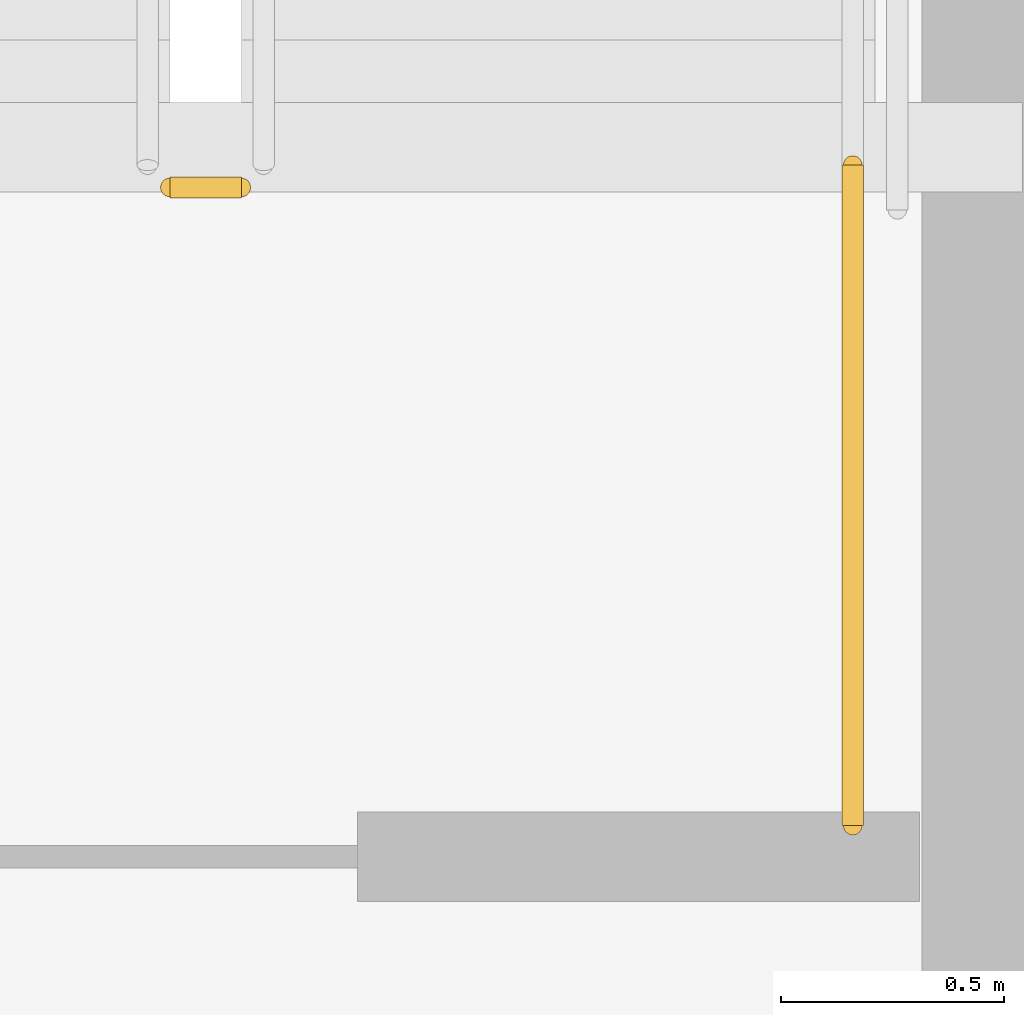
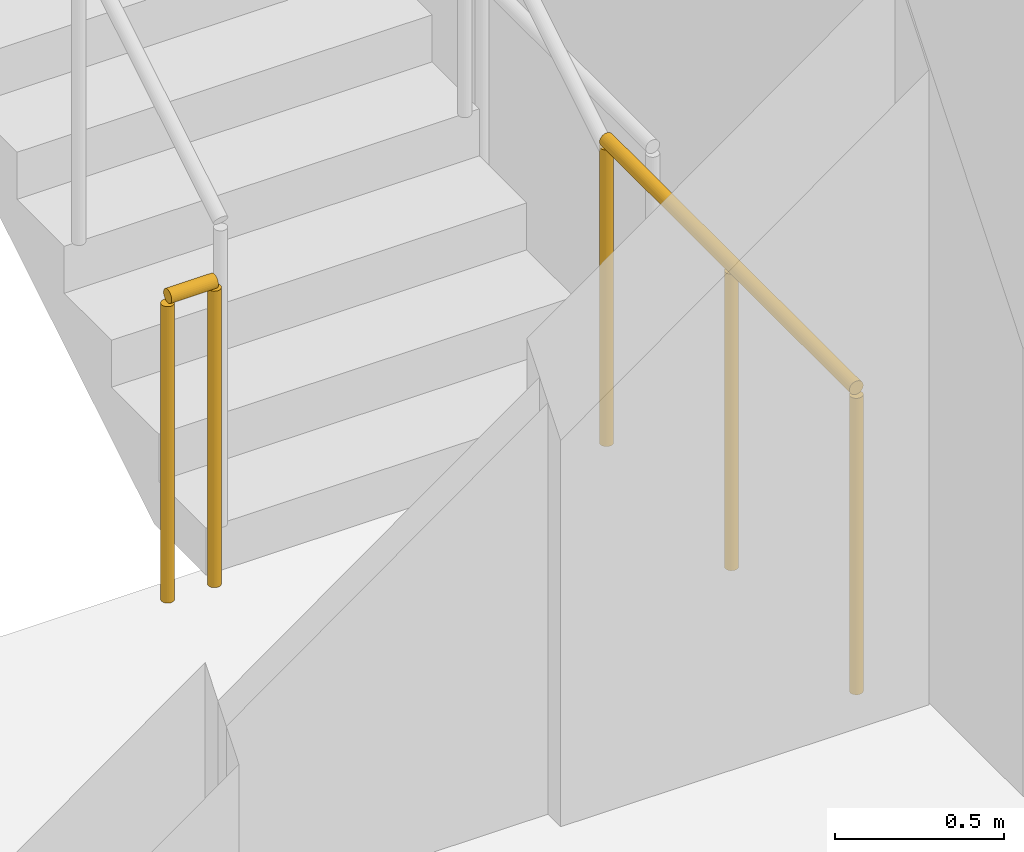
# One storey, part 28 of 32: 2 railings.
"""IFC4 building model written with IfcOpenShell, lengths in metres."""

from ifc_helpers import new_model, si_unit, direction, frame, origin, origin_2d, place, context, subcontext, project, spatial, circle, extrude, material, layer, layer_set, type_object, element, save


model = new_model("IFC4")

# Units and contexts
model_context = context("Model", 3, precision=1e-05, world=origin(), true_north=direction((0.0, 1.0)))
body_context = subcontext(model_context, "Body", "Model", "MODEL_VIEW")
ifc_project = project(units=[si_unit("LENGTHUNIT", "METRE"), si_unit("AREAUNIT", "SQUARE_METRE"), si_unit("VOLUMEUNIT", "CUBIC_METRE"), si_unit("PLANEANGLEUNIT", "RADIAN"), si_unit("MASSUNIT", "GRAM", prefix="KILO")], contexts=[model_context])

# Site, building, storey
site_placement = place(None, origin())
site = spatial("IfcSite", under=ifc_project, at=site_placement, CompositionType="ELEMENT")
building_placement = place(site_placement, origin())
building = spatial("IfcBuilding", under=site, at=building_placement, Name="Yelkora Congress Tower", CompositionType="ELEMENT")
storey_placement = place(building_placement, frame((0.0, 0.0, 116.89990234375)))
storey = spatial("IfcBuildingStorey", under=building, at=storey_placement, Name="L31", CompositionType="ELEMENT", Elevation=116.89990234375)

# Railings
ifc_material = material(Name="Painted galvanised steel stair well guard with vertical infill", Category="steel")
ifc_layer = layer(ifc_material, 0.06005859375)
ifc_layer_set = layer_set([ifc_layer], Name="Painted galvanised steel stair well guard with vertical infill")
railing_type = type_object("IfcRailingType", Name="RAIL-STAIR-GUARD-1120", PredefinedType="GUARDRAIL", material=ifc_layer_set)
railing_1_placement = place(storey_placement, frame((25.39990234375, 39.550048828125, 0.0)))
element("IfcRailing", 1, at=railing_1_placement, inside=storey, type_object=railing_type, Name="ST-01 L31 Stair Well Guardrail 7", PredefinedType="GUARDRAIL", context=body_context, shape_type="SweptSolid", body=[
    extrude(circle(Radius=0.02392578125, at=origin_2d()), frame((0.0, 0.0, 1.09619140625), z_axis=(-1.0, 0.0, 0.0), x_axis=(0.0, -1.0, 0.0)), (0.0, 0.0, 1.0), 0.159912109375),
    extrude(circle(Radius=0.02099609375, at=origin_2d()), origin(), (0.0, 0.0, 1.0), 1.072021484375),
    extrude(circle(Radius=0.02099609375, at=origin_2d()), frame((-0.159912109375, 0.0, 0.0)), (0.0, 0.0, 1.0), 1.072021484375),
])
railing_2_placement = place(storey_placement, frame((26.77001953125, 38.1201171875, 0.0)))
element("IfcRailing", 2, at=railing_2_placement, inside=storey, type_object=railing_type, Name="ST-01 L31 Stair Well Guardrail 8", PredefinedType="GUARDRAIL", context=body_context, shape_type="SweptSolid", body=[
    extrude(circle(Radius=0.02392578125, at=origin_2d()), frame((0.0, 0.0, 1.09619140625), z_axis=(0.0, 1.0, 0.0), x_axis=(-1.0, 0.0, 0.0)), (0.0, 0.0, 1.0), 1.47998046875),
    extrude(circle(Radius=0.02099609375, at=origin_2d()), origin(), (0.0, 0.0, 1.0), 1.072021484375),
    extrude(circle(Radius=0.02099609375, at=origin_2d()), frame((0.0, 0.739990234375, 0.0)), (0.0, 0.0, 1.0), 1.072021484375),
    extrude(circle(Radius=0.02099609375, at=origin_2d()), frame((0.0, 1.47998046875, 0.0)), (0.0, 0.0, 1.0), 1.072021484375),
])

save(model, "model.ifc")
